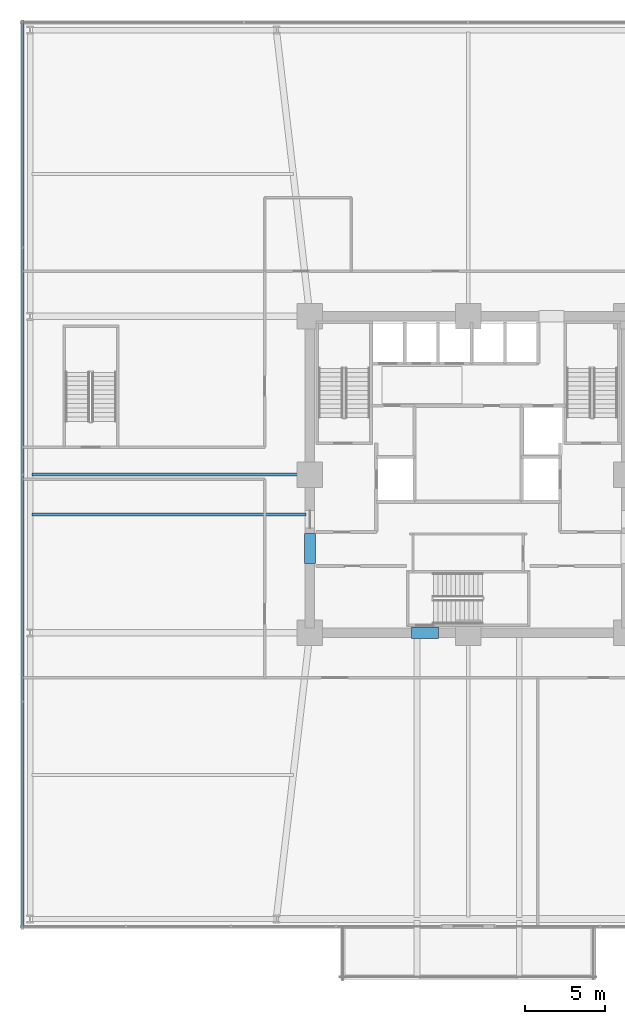
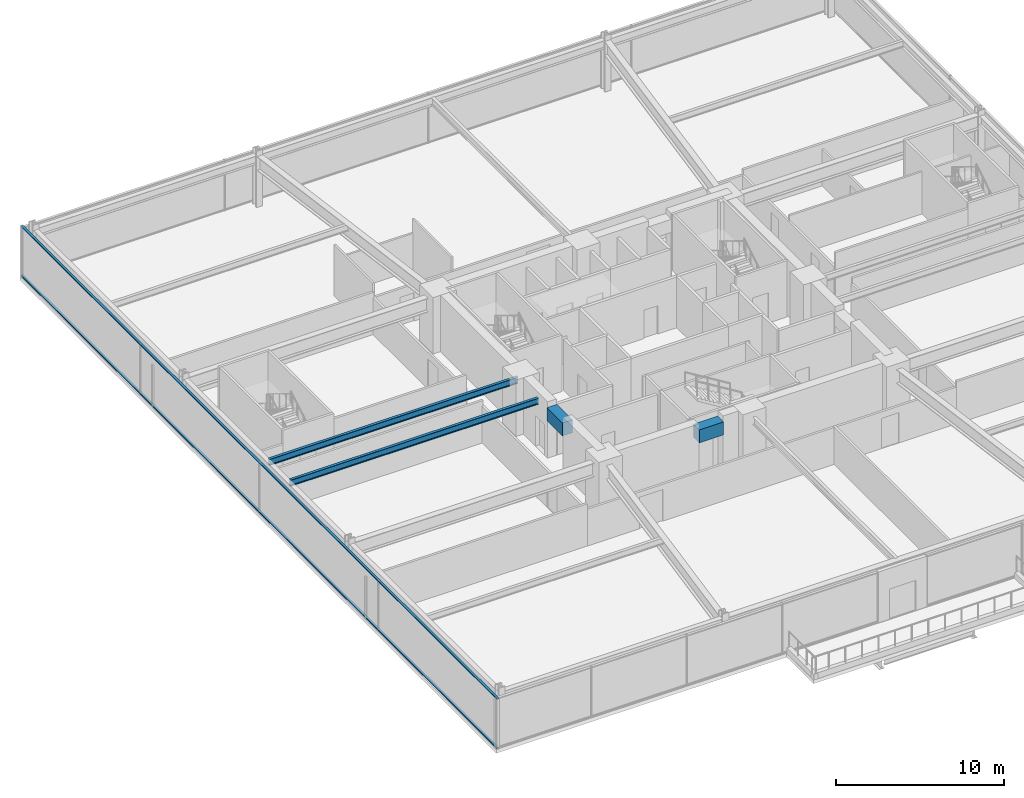
# One storey, part 12 of 39: 4 beams, 2 members, 1 element without a shape of its own.
"""IFC4 building model written with IfcOpenShell, lengths in metres."""

from ifc_helpers import new_model, si_unit, direction, frame, origin, origin_2d, place, context, subcontext, project, spatial, rectangle, hollow_rectangle, i_section, extrude, material, material_profile, profile_set, type_object, element, aggregate, save


model = new_model("IFC4")

# Units and contexts
model_context = context("Model", 3, precision=1e-05, world=origin(), true_north=direction((0.0, 1.0)))
body_context = subcontext(model_context, "Body", "Model", "MODEL_VIEW")
ifc_project = project(units=[si_unit("LENGTHUNIT", "METRE"), si_unit("AREAUNIT", "SQUARE_METRE"), si_unit("VOLUMEUNIT", "CUBIC_METRE"), si_unit("PLANEANGLEUNIT", "RADIAN"), si_unit("MASSUNIT", "GRAM", prefix="KILO")], contexts=[model_context])

# Site, building, storey
site_placement = place(None, origin())
site = spatial("IfcSite", under=ifc_project, at=site_placement, CompositionType="ELEMENT")
building_placement = place(site_placement, origin())
building = spatial("IfcBuilding", under=site, at=building_placement, Name="Kolvaren Belvedere", CompositionType="ELEMENT")
storey_placement = place(building_placement, frame((0.0, 0.0, 15.199951171875)))
storey = spatial("IfcBuildingStorey", under=building, at=storey_placement, Name="L04", CompositionType="ELEMENT", Elevation=15.199951171875)

# Beams
ifc_material_1 = material(Name="Structural steel ASTM A992 Grade 50", Category="steel")
ifc_material_profile_1 = material_profile(ifc_material_1, i_section(OverallWidth=0.19091796875, OverallDepth=0.4599609375, WebThickness=0.010009765625, FlangeThickness=0.01611328125, FilletRadius=0.014892578125, at=origin_2d()), Name="W18X55")
ifc_profile_set_1 = profile_set([ifc_material_profile_1], Name="Structural steel ASTM A992 Grade 50")
beam_type_1 = type_object("IfcBeamType", Name="BM-JOIST-W18X55", PredefinedType="BEAM", material=ifc_profile_set_1)
for number, where, z_axis, x_axis, name in (
    (1, (-27.280029296875, -2.5, 3.469970703125), (1.0, 0.0, 0.0), (0.0, 1.0, 0.0), "L04 West Bay Floor Beam"),
    (2, (-27.280029296875, 0.0, 3.469970703125), (1.0, 0.0, 0.0), (0.0, 1.0, 0.0), "L04 West Bay Floor Beam"),
):
    element("IfcBeam", number, at=place(storey_placement, frame(where, z_axis=z_axis, x_axis=x_axis)), inside=storey, type_object=beam_type_1, Name=name, PredefinedType="BEAM", context=body_context, shape_type="SweptSolid", body=[
        extrude(i_section(OverallWidth=0.19091796875, OverallDepth=0.4599609375, WebThickness=0.010009765625, FlangeThickness=0.01611328125, FilletRadius=0.014892578125, at=origin_2d()), origin(), (0.0, 0.0, 1.0), 17.130126953125),
    ])
ifc_material_2 = material(Name="Concrete C60/75", Category="concrete")
ifc_material_profile_2 = material_profile(ifc_material_2, rectangle(XDim=0.699951171875, YDim=0.949951171875, at=origin_2d()), Name="RC 700X950")
ifc_profile_set_2 = profile_set([ifc_material_profile_2], Name="Concrete C60/75")
beam_type_2 = type_object("IfcBeamType", Name="BM-LINT-950", PredefinedType="LINTEL", material=ifc_profile_set_2)
beam_1_placement = place(storey_placement, frame((-3.5400390625, -9.89990234375, 3.22509765625), z_axis=(1.0, 0.0, 0.0), x_axis=(0.0, 1.0, 0.0)))
element("IfcBeam", 3, at=beam_1_placement, inside=storey, type_object=beam_type_2, Name="L04 South Core Coupling Lintel", PredefinedType="LINTEL", context=body_context, shape_type="SweptSolid", body=[
    extrude(rectangle(XDim=0.699951171875, YDim=0.949951171875, at=origin_2d()), origin(), (0.0, 0.0, 1.0), 1.679931640625),
])
beam_2_placement = place(storey_placement, frame((-9.89990234375, -5.550048828125, 3.22509765625), z_axis=(0.0, 1.0, 0.0), x_axis=(-1.0, 0.0, 0.0)))
element("IfcBeam", 4, at=beam_2_placement, inside=storey, type_object=beam_type_2, Name="L04 West Core Coupling Lintel", PredefinedType="LINTEL", context=body_context, shape_type="SweptSolid", body=[
    extrude(rectangle(XDim=0.699951171875, YDim=0.949951171875, at=origin_2d()), origin(), (0.0, 0.0, 1.0), 1.85009765625),
])

# Curtain wall, members
ifc_material_3 = material(Name="Anodised pale-metal aluminium AA 6063-T6", Category="aluminium")
curtain_wall_type = type_object("IfcCurtainWallType", Name="CW-POD-A", PredefinedType="NOTDEFINED", material=ifc_material_3)
curtain_wall_placement = place(storey_placement, origin())
curtain_wall = element("IfcCurtainWall", 5, at=curtain_wall_placement, inside=storey, type_object=curtain_wall_type, Name="L04 Unitised Curtain Wall FCW-L04-W", PredefinedType="NOTDEFINED")
ifc_material_4 = material(Name="Anodised pale-metal aluminium AA 6063-T6", Category="aluminium")
ifc_material_profile_3 = material_profile(ifc_material_4, hollow_rectangle(XDim=0.06494140625, YDim=0.159912109375, WallThickness=0.00390625, at=origin_2d()), Name="ALU-TRN-160X65")
ifc_profile_set_3 = profile_set([ifc_material_profile_3], Name="Anodised pale-metal aluminium AA 6063-T6")
member_type = type_object("IfcMemberType", Name="CW-TRN-160", PredefinedType="USERDEFINED", material=ifc_profile_set_3)
member_1_placement = place(storey_placement, frame((-27.8798828125, -28.39990234375, 0.06005859375), z_axis=(0.0, 1.0, 0.0), x_axis=(0.0, 0.0, 1.0)))
member_1 = element("IfcMember", 6, at=member_1_placement, type_object=member_type, Name="FCW-L04-W Sill Transom", ObjectType="TRANSOM", PredefinedType="USERDEFINED", context=body_context, shape_type="SweptSolid", body=[
    extrude(hollow_rectangle(XDim=0.06494140625, YDim=0.159912109375, WallThickness=0.00390625, at=origin_2d()), origin(), (0.0, 0.0, 1.0), 56.7998046875),
])
member_2_placement = place(storey_placement, frame((-27.8798828125, -28.39990234375, 3.64013671875), z_axis=(0.0, 1.0, 0.0), x_axis=(0.0, 0.0, 1.0)))
member_2 = element("IfcMember", 7, at=member_2_placement, type_object=member_type, Name="FCW-L04-W Head Transom", ObjectType="TRANSOM", PredefinedType="USERDEFINED", context=body_context, shape_type="SweptSolid", body=[
    extrude(hollow_rectangle(XDim=0.06494140625, YDim=0.159912109375, WallThickness=0.00390625, at=origin_2d()), origin(), (0.0, 0.0, 1.0), 56.7998046875),
])
aggregate(curtain_wall, [member_1, member_2])

save(model, "model.ifc")
